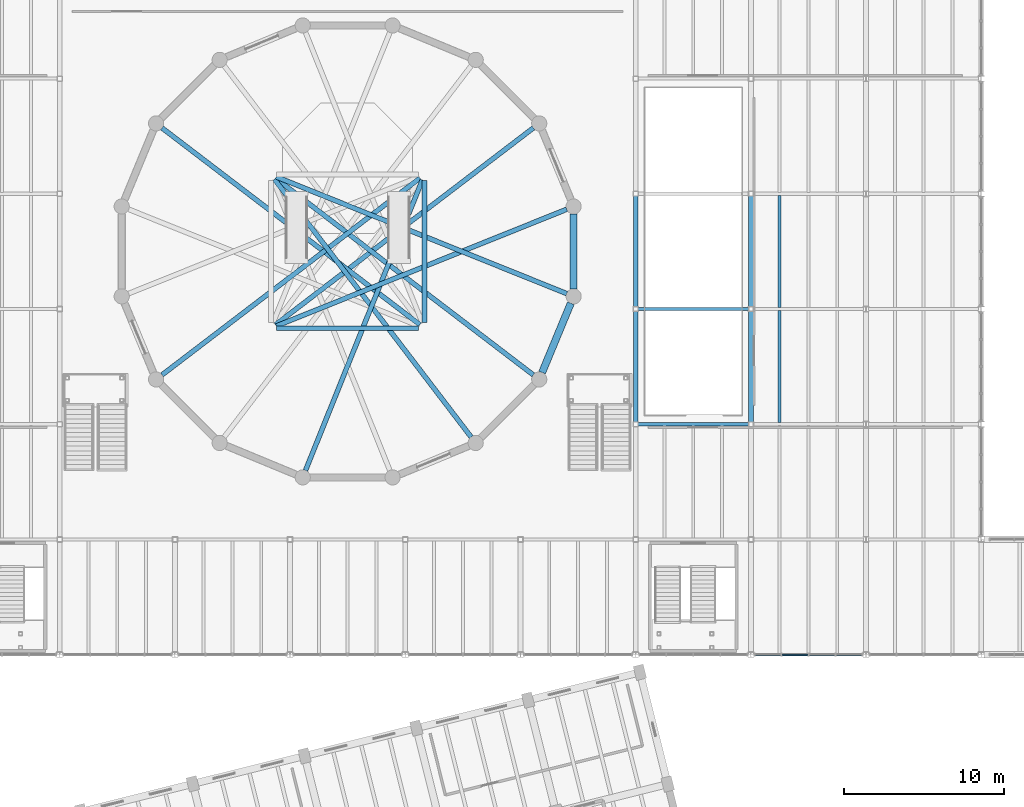
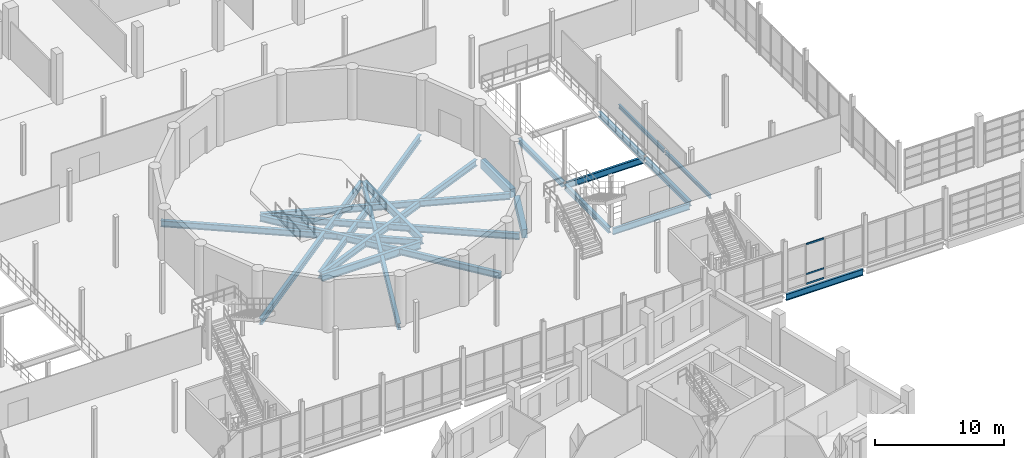
# One storey, part 27 of 77: 21 beams, 3 members, 1 element without a shape of its own.
"""IFC4 building model written with IfcOpenShell, lengths in metres."""

from ifc_helpers import new_model, si_unit, direction, frame, origin, origin_2d, place, context, subcontext, project, spatial, rectangle, i_section, extrude, material, material_profile, profile_set, type_object, element, aggregate, save


model = new_model("IFC4")

# Units and contexts
model_context = context("Model", 3, precision=1e-05, world=origin(), true_north=direction((0.0, 1.0)))
body_context = subcontext(model_context, "Body", "Model", "MODEL_VIEW")
ifc_project = project(units=[si_unit("LENGTHUNIT", "METRE"), si_unit("AREAUNIT", "SQUARE_METRE"), si_unit("VOLUMEUNIT", "CUBIC_METRE"), si_unit("PLANEANGLEUNIT", "RADIAN"), si_unit("MASSUNIT", "GRAM", prefix="KILO")], contexts=[model_context])

# Site, building, storey
site_placement = place(None, origin())
site = spatial("IfcSite", under=ifc_project, at=site_placement, CompositionType="ELEMENT")
building_placement = place(site_placement, origin())
building = spatial("IfcBuilding", under=site, at=building_placement, Name="Qiaolan Assembly House", CompositionType="ELEMENT")
storey_placement = place(building_placement, frame((0.0, 0.0, 5.39990234375)))
storey = spatial("IfcBuildingStorey", under=building, at=storey_placement, Name="L01", CompositionType="ELEMENT", Elevation=5.39990234375)

# Beams
ifc_material_1 = material(Name="Concrete C40/50", Category="concrete")
ifc_material_profile_1 = material_profile(ifc_material_1, rectangle(XDim=0.449951171875, YDim=0.800048828125, at=origin_2d()), Name="RCB 450x800")
ifc_profile_set_1 = profile_set([ifc_material_profile_1], Name="Concrete C40/50")
beam_type_1 = type_object("IfcBeamType", Name="BM-RC-450x800", PredefinedType="BEAM", material=ifc_profile_set_1)
beam_1_placement = place(storey_placement, frame((80.551025390625, 53.62939453125, -0.68994140625), z_axis=(0.382710488092, 0.923868325198, 0.0), x_axis=(-0.923868325198, 0.382710488092, 0.0)))
element("IfcBeam", 1, at=beam_1_placement, inside=storey, type_object=beam_type_1, Name="GB-03 beam BM-DRUM-L01-14", PredefinedType="BEAM", context=body_context, shape_type="SweptSolid", body=[
    extrude(rectangle(XDim=0.449951171875, YDim=0.800048828125, at=origin_2d()), origin(), (0.0, 0.0, 1.0), 4.688720703125),
])
beam_2_placement = place(storey_placement, frame((82.523193359375, 58.855712890625, -0.68994140625), z_axis=(0.0, 1.0, 0.0), x_axis=(-1.0, 0.0, 0.0)))
element("IfcBeam", 2, at=beam_2_placement, inside=storey, type_object=beam_type_1, Name="GB-03 beam BM-DRUM-L01-15", PredefinedType="BEAM", context=body_context, shape_type="SweptSolid", body=[
    extrude(rectangle(XDim=0.449951171875, YDim=0.800048828125, at=origin_2d()), origin(), (0.0, 0.0, 1.0), 4.6884765625),
])
ifc_material_2 = material(Name="Steel Q355B", Category="steel")
ifc_material_profile_2 = material_profile(ifc_material_2, i_section(OverallWidth=0.300048828125, OverallDepth=0.488037109375, WebThickness=0.010986328125, FlangeThickness=0.01806640625, FilletRadius=0.02001953125, at=origin_2d()), Name="HM 488x300x11x18")
ifc_profile_set_2 = profile_set([ifc_material_profile_2], Name="Steel Q355B")
beam_type_2 = type_object("IfcBeamType", Name="BM-STL-HM488", PredefinedType="BEAM", material=ifc_profile_set_2)
for number, where, z_axis, x_axis, name in (
    (3, (86.39990234375, 50.550048828125, -0.5439453125), (0.0, 1.0, 0.0), (-1.0, 0.0, 0.0), "SB-04 beam BMY-HL-L01-09-02"),
    (4, (86.39990234375, 57.75, -0.5439453125), (0.0, 1.0, 0.0), (-1.0, 0.0, 0.0), "SB-04 beam BMY-HL-L01-09-03"),
    (5, (93.60009765625, 50.550048828125, -0.5439453125), (0.0, 1.0, 0.0), (-1.0, 0.0, 0.0), "SB-04 beam BMY-HL-L01-10-02"),
    (6, (93.60009765625, 57.75, -0.5439453125), (0.0, 1.0, 0.0), (-1.0, 0.0, 0.0), "SB-04 beam BMY-HL-L01-10-03"),
):
    element("IfcBeam", number, at=place(storey_placement, frame(where, z_axis=z_axis, x_axis=x_axis)), inside=storey, type_object=beam_type_2, Name=name, PredefinedType="BEAM", context=body_context, shape_type="SweptSolid", body=[
        extrude(i_section(OverallWidth=0.300048828125, OverallDepth=0.488037109375, WebThickness=0.010986328125, FlangeThickness=0.01806640625, FilletRadius=0.02001953125, at=origin_2d()), origin(), (0.0, 0.0, 1.0), 6.89990234375),
    ])
ifc_material_profile_3 = material_profile(ifc_material_2, i_section(OverallWidth=0.300048828125, OverallDepth=0.587890625, WebThickness=0.011962890625, FlangeThickness=0.02001953125, FilletRadius=0.02197265625, at=origin_2d()), Name="HM 588x300x12x20")
ifc_profile_set_3 = profile_set([ifc_material_profile_3], Name="Steel Q355B")
beam_type_3 = type_object("IfcBeamType", Name="BM-STL-HM588", PredefinedType="BEAM", material=ifc_profile_set_3)
beam_3_placement = place(storey_placement, frame((63.938720703125, 56.5361328125, -0.598876953125), z_axis=(0.927795304161, 0.373089632095, 0.0), x_axis=(-0.373089632095, 0.927795304161, 0.0)))
element("IfcBeam", 7, at=beam_3_placement, inside=storey, type_object=beam_type_3, Name="SB-02 beam BM-UC-RAD-00", PredefinedType="BEAM", context=body_context, shape_type="SweptSolid", body=[
    extrude(i_section(OverallWidth=0.300048828125, OverallDepth=0.587890625, WebThickness=0.011962890625, FlangeThickness=0.02001953125, FilletRadius=0.02197265625, at=origin_2d()), origin(), (0.0, 0.0, 1.0), 19.56591796875),
])
for number, where, z_axis, x_axis, name in (
    (8, (63.89013671875, 56.621337890625, -0.598876953125), (0.794953691888, 0.606670114439, 0.0), (-0.606670114439, 0.794953691888, 0.0), "SB-02 beam BM-UC-RAD-01"),
    (9, (72.909912109375, 56.621337890625, -0.598876953125), (-0.794958124879, 0.6066643056, 0.0), (-0.6066643056, -0.794958124879, 0.0), "SB-02 beam BM-UC-RAD-06"),
    (10, (72.909912109375, 65.778564453125, -0.598876953125), (-0.794963933685, -0.606656693806, 0.0), (0.606656693806, -0.794963933685, 0.0), "SB-02 beam BM-UC-RAD-09"),
):
    element("IfcBeam", number, at=place(storey_placement, frame(where, z_axis=z_axis, x_axis=x_axis)), inside=storey, type_object=beam_type_3, Name=name, PredefinedType="BEAM", context=body_context, shape_type="SweptSolid", body=[
        extrude(i_section(OverallWidth=0.300048828125, OverallDepth=0.587890625, WebThickness=0.011962890625, FlangeThickness=0.02001953125, FilletRadius=0.02197265625, at=origin_2d()), origin(), (0.0, 0.0, 1.0), 20.26953125),
    ])
beam_4_placement = place(storey_placement, frame((73.063720703125, 65.661376953125, -0.598876953125), z_axis=(-0.37307457187, -0.927801360111, 0.0), x_axis=(0.927801360111, -0.37307457187, 0.0)))
element("IfcBeam", 11, at=beam_4_placement, inside=storey, type_object=beam_type_3, Name="SB-02 beam BM-UC-RAD-11", PredefinedType="BEAM", context=body_context, shape_type="SweptSolid", body=[
    extrude(i_section(OverallWidth=0.300048828125, OverallDepth=0.587890625, WebThickness=0.011962890625, FlangeThickness=0.02001953125, FilletRadius=0.02197265625, at=origin_2d()), origin(), (0.0, 0.0, 1.0), 19.56591796875),
])
beam_5_placement = place(storey_placement, frame((63.821533203125, 65.7099609375, -0.598876953125), z_axis=(0.606656693806, -0.794963933685, 0.0), x_axis=(0.794963933685, 0.606656693806, 0.0)))
element("IfcBeam", 12, at=beam_5_placement, inside=storey, type_object=beam_type_3, Name="SB-02 beam BM-UC-RAD-13", PredefinedType="BEAM", context=body_context, shape_type="SweptSolid", body=[
    extrude(i_section(OverallWidth=0.300048828125, OverallDepth=0.587890625, WebThickness=0.011962890625, FlangeThickness=0.02001953125, FilletRadius=0.02197265625, at=origin_2d()), origin(), (0.0, 0.0, 1.0), 20.26953125),
])
beam_6_placement = place(storey_placement, frame((63.89013671875, 65.778564453125, -0.598876953125), z_axis=(0.794959500773, -0.606662502658, 0.0), x_axis=(0.606662502658, 0.794959500773, 0.0)))
element("IfcBeam", 13, at=beam_6_placement, inside=storey, type_object=beam_type_3, Name="SB-02 beam BM-UC-RAD-14", PredefinedType="BEAM", context=body_context, shape_type="SweptSolid", body=[
    extrude(i_section(OverallWidth=0.300048828125, OverallDepth=0.587890625, WebThickness=0.011962890625, FlangeThickness=0.02001953125, FilletRadius=0.02197265625, at=origin_2d()), origin(), (0.0, 0.0, 1.0), 20.269287109375),
])
beam_7_placement = place(storey_placement, frame((63.938720703125, 65.86376953125, -0.598876953125), z_axis=(0.927799623359, -0.37307889098, 0.0), x_axis=(0.37307889098, 0.927799623359, 0.0)))
element("IfcBeam", 14, at=beam_7_placement, inside=storey, type_object=beam_type_3, Name="SB-02 beam BM-UC-RAD-15", PredefinedType="BEAM", context=body_context, shape_type="SweptSolid", body=[
    extrude(i_section(OverallWidth=0.300048828125, OverallDepth=0.587890625, WebThickness=0.011962890625, FlangeThickness=0.02001953125, FilletRadius=0.02197265625, at=origin_2d()), origin(), (0.0, 0.0, 1.0), 19.565673828125),
])
ifc_material_profile_4 = material_profile(ifc_material_2, i_section(OverallWidth=0.199951171875, OverallDepth=0.60009765625, WebThickness=0.010986328125, FlangeThickness=0.01708984375, FilletRadius=0.02001953125, at=origin_2d()), Name="HN 600x200x11x17")
ifc_profile_set_4 = profile_set([ifc_material_profile_4], Name="Steel Q355B")
beam_type_4 = type_object("IfcBeamType", Name="BM-STL-HN600", PredefinedType="BEAM", material=ifc_profile_set_4)
beam_8_placement = place(storey_placement, frame((93.764892578125, 36.0, -0.599853515625), z_axis=(1.0, 0.0, 0.0), x_axis=(0.0, 1.0, 0.0)))
element("IfcBeam", 15, at=beam_8_placement, inside=storey, type_object=beam_type_4, Name="SB-03 beam BMX-HL-L01-10-00", PredefinedType="BEAM", context=body_context, shape_type="SweptSolid", body=[
    extrude(i_section(OverallWidth=0.199951171875, OverallDepth=0.60009765625, WebThickness=0.010986328125, FlangeThickness=0.01708984375, FilletRadius=0.02001953125, at=origin_2d()), origin(), (0.0, 0.0, 1.0), 6.8701171875),
])
for number, where, z_axis, x_axis, name in (
    (16, (86.550048828125, 50.39990234375, -0.599853515625), (1.0, 0.0, 0.0), (0.0, 1.0, 0.0), "SB-03 beam BMX-HL-L01-09-02"),
    (17, (86.550048828125, 57.60009765625, -0.599853515625), (1.0, 0.0, 0.0), (0.0, 1.0, 0.0), "SB-03 beam BMX-HL-L01-09-03"),
):
    element("IfcBeam", number, at=place(storey_placement, frame(where, z_axis=z_axis, x_axis=x_axis)), inside=storey, type_object=beam_type_4, Name=name, PredefinedType="BEAM", context=body_context, shape_type="SweptSolid", body=[
        extrude(i_section(OverallWidth=0.199951171875, OverallDepth=0.60009765625, WebThickness=0.010986328125, FlangeThickness=0.01708984375, FilletRadius=0.02001953125, at=origin_2d()), origin(), (0.0, 0.0, 1.0), 6.89990234375),
    ])
ifc_material_profile_5 = material_profile(ifc_material_2, i_section(OverallWidth=0.300048828125, OverallDepth=0.699951171875, WebThickness=0.012939453125, FlangeThickness=0.02392578125, FilletRadius=0.02392578125, at=origin_2d()), Name="HN 700x300x13x24")
ifc_profile_set_5 = profile_set([ifc_material_profile_5], Name="Steel Q355B")
beam_type_5 = type_object("IfcBeamType", Name="BM-STL-HN700", PredefinedType="BEAM", material=ifc_profile_set_5)
beam_9_placement = place(storey_placement, frame((63.965087890625, 56.39990234375, -0.65478515625), z_axis=(1.0, 0.0, 0.0), x_axis=(0.0, 1.0, 0.0)))
element("IfcBeam", 18, at=beam_9_placement, inside=storey, type_object=beam_type_5, Name="SB-01 beam BM-UC-RING-00", PredefinedType="BEAM", context=body_context, shape_type="SweptSolid", body=[
    extrude(i_section(OverallWidth=0.300048828125, OverallDepth=0.699951171875, WebThickness=0.012939453125, FlangeThickness=0.02392578125, FilletRadius=0.02392578125, at=origin_2d()), origin(), (0.0, 0.0, 1.0), 8.869873046875),
])
beam_10_placement = place(storey_placement, frame((73.199951171875, 56.764892578125, -0.65478515625), z_axis=(0.0, 1.0, 0.0), x_axis=(-1.0, 0.0, 0.0)))
element("IfcBeam", 19, at=beam_10_placement, inside=storey, type_object=beam_type_5, Name="SB-01 beam BM-UC-RING-01", PredefinedType="BEAM", context=body_context, shape_type="SweptSolid", body=[
    extrude(i_section(OverallWidth=0.300048828125, OverallDepth=0.699951171875, WebThickness=0.012939453125, FlangeThickness=0.02392578125, FilletRadius=0.02392578125, at=origin_2d()), origin(), (0.0, 0.0, 1.0), 8.8701171875),
])

# Curtain wall, members
ifc_material_3 = material(Name="Anodised bronze aluminium", Category="aluminium")
curtain_wall_type = type_object("IfcCurtainWallType", Name="CW-HALL-UPPER-480", PredefinedType="NOTDEFINED", material=ifc_material_3)
curtain_wall_placement = place(storey_placement, origin())
curtain_wall = element("IfcCurtainWall", 20, at=curtain_wall_placement, inside=storey, type_object=curtain_wall_type, Name="CW-01 Hall South plaza curtain wall L01-10", PredefinedType="NOTDEFINED")
ifc_material_profile_6 = material_profile(ifc_material_3, rectangle(XDim=0.075927734375, YDim=0.14990234375, at=origin_2d()), Name="TRN 76x150")
ifc_profile_set_6 = profile_set([ifc_material_profile_6], Name="Anodised bronze aluminium")
member_type = type_object("IfcMemberType", Name="CW-HALL-UPPER-480-TRN", PredefinedType="USERDEFINED", material=ifc_profile_set_6)
member_1_placement = place(storey_placement, frame((95.552978515625, 36.0, 0.030029296875), z_axis=(1.0, 0.0, 0.0), x_axis=(0.0, 1.0, 0.0)))
member_1 = element("IfcMember", 21, at=member_1_placement, type_object=member_type, Name="TR-02 transom CW-HALL-S-L01-09-2-1", ObjectType="TRANSOM", PredefinedType="USERDEFINED", context=body_context, shape_type="SweptSolid", body=[
    extrude(rectangle(XDim=0.075927734375, YDim=0.14990234375, at=origin_2d()), origin(), (0.0, 0.0, 1.0), 1.60400390625),
])
member_2_placement = place(storey_placement, frame((95.552978515625, 36.0, 0.9501953125), z_axis=(1.0, 0.0, 0.0), x_axis=(0.0, 1.0, 0.0)))
member_2 = element("IfcMember", 22, at=member_2_placement, type_object=member_type, Name="TR-02 transom CW-HALL-S-L01-09-2-2", ObjectType="TRANSOM", PredefinedType="USERDEFINED", context=body_context, shape_type="SweptSolid", body=[
    extrude(rectangle(XDim=0.075927734375, YDim=0.14990234375, at=origin_2d()), origin(), (0.0, 0.0, 1.0), 1.60400390625),
])
member_3_placement = place(storey_placement, frame((95.552978515625, 36.0, 3.77001953125), z_axis=(1.0, 0.0, 0.0), x_axis=(0.0, 1.0, 0.0)))
member_3 = element("IfcMember", 23, at=member_3_placement, type_object=member_type, Name="TR-02 transom CW-HALL-S-L01-09-2-3", ObjectType="TRANSOM", PredefinedType="USERDEFINED", context=body_context, shape_type="SweptSolid", body=[
    extrude(rectangle(XDim=0.075927734375, YDim=0.14990234375, at=origin_2d()), origin(), (0.0, 0.0, 1.0), 1.60400390625),
])
aggregate(curtain_wall, [member_1, member_2, member_3])

# Beams
ifc_material_profile_7 = material_profile(ifc_material_2, i_section(OverallWidth=0.179931640625, OverallDepth=0.360107421875, WebThickness=0.008056640625, FlangeThickness=0.011962890625, FilletRadius=0.013916015625, at=origin_2d()), Name="HN 360x180x8x12")
ifc_profile_set_7 = profile_set([ifc_material_profile_7], Name="Steel Q355B")
beam_type_6 = type_object("IfcBeamType", Name="JST-STL-HN360", PredefinedType="JOIST", material=ifc_profile_set_7)
beam_11_placement = place(storey_placement, frame((95.39990234375, 50.493896484375, -0.47998046875), z_axis=(0.0, 1.0, 0.0), x_axis=(-1.0, 0.0, 0.0)))
element("IfcBeam", 24, at=beam_11_placement, inside=storey, type_object=beam_type_6, Name="SJ-06 beam JST-HL-L01-10-02-1", PredefinedType="JOIST", context=body_context, shape_type="SweptSolid", body=[
    extrude(i_section(OverallWidth=0.179931640625, OverallDepth=0.360107421875, WebThickness=0.008056640625, FlangeThickness=0.011962890625, FilletRadius=0.013916015625, at=origin_2d()), origin(), (0.0, 0.0, 1.0), 7.01220703125),
])
beam_12_placement = place(storey_placement, frame((95.39990234375, 57.694091796875, -0.47998046875), z_axis=(0.0, 1.0, 0.0), x_axis=(-1.0, 0.0, 0.0)))
element("IfcBeam", 25, at=beam_12_placement, inside=storey, type_object=beam_type_6, Name="SJ-06 beam JST-HL-L01-10-03-1", PredefinedType="JOIST", context=body_context, shape_type="SweptSolid", body=[
    extrude(i_section(OverallWidth=0.179931640625, OverallDepth=0.360107421875, WebThickness=0.008056640625, FlangeThickness=0.011962890625, FilletRadius=0.013916015625, at=origin_2d()), origin(), (0.0, 0.0, 1.0), 7.011962890625),
])

save(model, "model.ifc")
